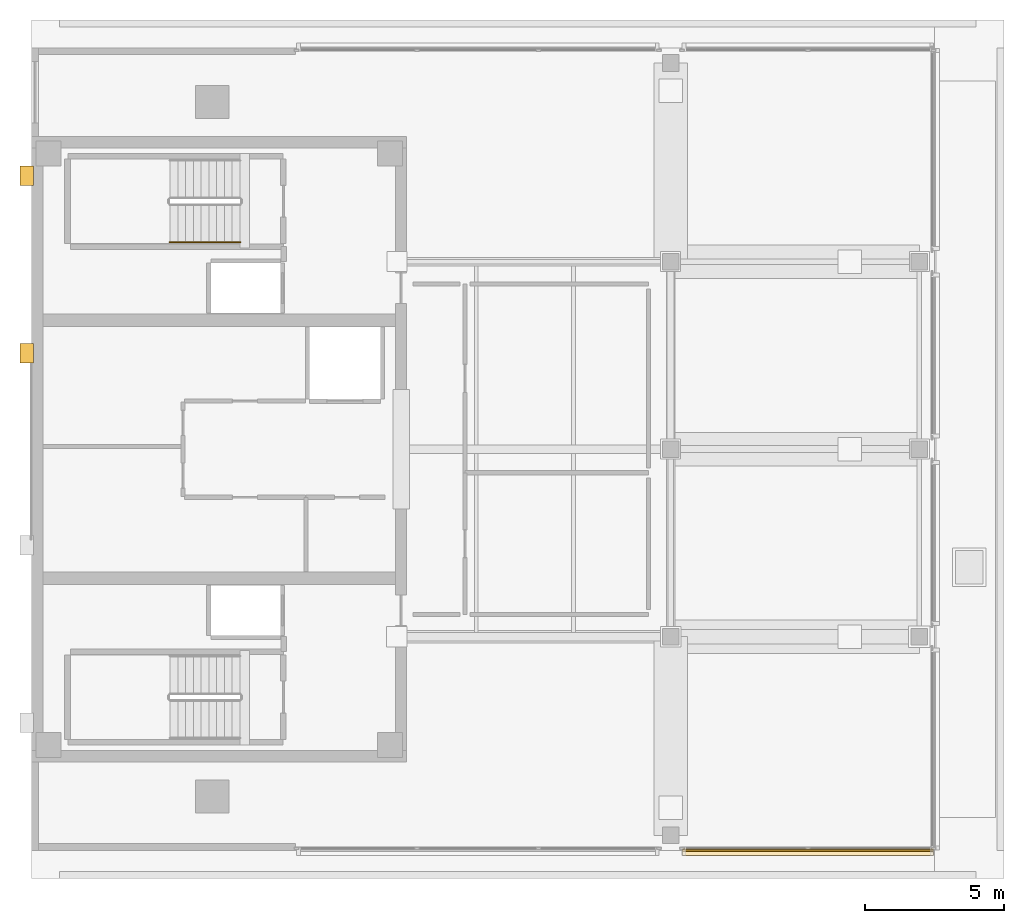
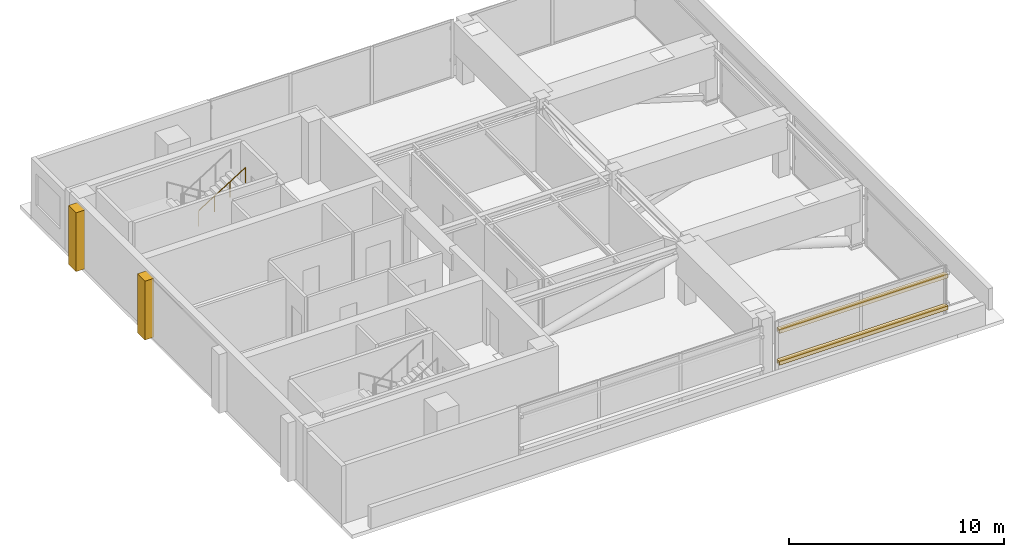
# One storey, part 8 of 10: 4 coverings, 2 shading devices, 1 railing.
"""IFC4 building model written with IfcOpenShell, lengths in metres."""

from ifc_helpers import new_model, si_unit, direction, frame, origin, origin_2d, place, context, subcontext, project, spatial, polyline, rectangle, circle, outline, extrude, material, layer, layer_set, material_profile, profile_set, type_object, element, save


model = new_model("IFC4")

# Units and contexts
model_context = context("Model", 3, precision=1e-05, world=origin(), true_north=direction((0.0, 1.0)))
body_context = subcontext(model_context, "Body", "Model", "MODEL_VIEW")
ifc_project = project(units=[si_unit("LENGTHUNIT", "METRE"), si_unit("AREAUNIT", "SQUARE_METRE"), si_unit("VOLUMEUNIT", "CUBIC_METRE"), si_unit("PLANEANGLEUNIT", "RADIAN"), si_unit("MASSUNIT", "GRAM", prefix="KILO")], contexts=[model_context])

# Site, building, storey
site_placement = place(None, origin())
site = spatial("IfcSite", under=ifc_project, at=site_placement, CompositionType="ELEMENT")
building_placement = place(site_placement, origin())
building = spatial("IfcBuilding", under=site, at=building_placement, Name="Kinhvarn Gate Tower", CompositionType="ELEMENT")
storey_placement = place(building_placement, frame((0.0, 0.0, 311.050048828125)))
storey = spatial("IfcBuildingStorey", under=building, at=storey_placement, Name="L82", CompositionType="ELEMENT", Elevation=311.050048828125)

# Coverings
ifc_material_1 = material(Name="Fired architectural terracotta", Category="masonry")
ifc_layer_1 = layer(ifc_material_1, 0.239990234375)
ifc_layer_set_1 = layer_set([ifc_layer_1], Name="Fired architectural terracotta")
covering_type_1 = type_object("IfcCoveringType", Name="COV-BAG-220", PredefinedType="CLADDING", material=ifc_layer_set_1)
for number, where, name in (
    (1, (0.0, 0.0, 0.93994140625), "Terracotta Horizontal Sunscreen Band TBG-220 (L82)"),
    (2, (0.0, 0.0, 2.739990234375), "Terracotta Horizontal Sunscreen Band TBG-220 (L82)"),
):
    element("IfcCovering", number, at=place(storey_placement, frame(where)), inside=storey, type_object=covering_type_1, Name=name, PredefinedType="CLADDING", context=body_context, shape_type="SweptSolid", body=[
        extrude(outline(polyline([(27.919921875, 10.8701171875), (36.9599609375, 10.8701171875), (36.9599609375, 10.6298828125), (27.919921875, 10.6298828125), (27.919921875, 10.8701171875)])), origin(), (0.0, 0.0, 1.0), 0.219970703125),
    ])
ifc_material_2 = material(Name="Precast white architectural concrete C40/50", Category="concrete")
ifc_layer_2 = layer(ifc_material_2, 0.47998046875)
ifc_layer_set_2 = layer_set([ifc_layer_2], Name="Precast white architectural concrete C40/50")
covering_type_2 = type_object("IfcCoveringType", Name="COV-RIB-450", PredefinedType="CLADDING", material=ifc_layer_set_2)
covering_1_placement = place(storey_placement, frame((0.0, 0.0, -0.02001953125)))
element("IfcCovering", 3, at=covering_1_placement, inside=storey, type_object=covering_type_2, Name="West Core Sculptural Concrete Relief Rib CRB-450 (L82)", PredefinedType="CLADDING", context=body_context, shape_type="SweptSolid", body=[
    extrude(outline(polyline([(4.080078125, 28.35009765625), (4.56005859375, 28.35009765625), (4.56005859375, 29.050048828125), (4.080078125, 29.050048828125), (4.080078125, 28.35009765625)])), origin(), (0.0, 0.0, 1.0), 3.340087890625),
])
covering_2_placement = place(storey_placement, frame((0.0, 0.0, -0.02001953125)))
element("IfcCovering", 4, at=covering_2_placement, inside=storey, type_object=covering_type_2, Name="West Core Sculptural Concrete Relief Rib CRB-450 (L82)", PredefinedType="CLADDING", context=body_context, shape_type="SweptSolid", body=[
    extrude(outline(polyline([(4.080078125, 34.75), (4.56005859375, 34.75), (4.56005859375, 35.449951171875), (4.080078125, 35.449951171875), (4.080078125, 34.75)])), origin(), (0.0, 0.0, 1.0), 3.340087890625),
])

# Railing
ifc_material_3 = material(Name="Steel S355", Category="steel")
railing_type = type_object("IfcRailingType", Name="RL-ST-HND", PredefinedType="HANDRAIL", material=ifc_material_3)
railing_placement = place(storey_placement, frame((9.47998046875, 32.699951171875, 1.925048828125)))
element("IfcRailing", 5, at=railing_placement, inside=storey, type_object=railing_type, Name="L82 ST2 stair handrail 2", PredefinedType="HANDRAIL", context=body_context, shape_type="SweptSolid", body=[
    extrude(circle(Radius=0.02392578125, at=origin_2d()), frame((0.0, 0.0, 0.8759765625), z_axis=(0.848007534815, 0.0, 0.529984170421), x_axis=(0.0, 1.0, 0.0)), (0.0, 0.0, 1.0), 2.9716796875),
    extrude(circle(Radius=0.02099609375, at=origin_2d()), origin(), (0.0, 0.0, 1.0), 0.851806640625),
    extrude(circle(Radius=0.02099609375, at=origin_2d()), frame((0.840087890625, 0.0, 0.52490234375)), (0.0, 0.0, 1.0), 0.851806640625),
    extrude(circle(Radius=0.02099609375, at=origin_2d()), frame((1.679931640625, 0.0, 1.050048828125)), (0.0, 0.0, 1.0), 0.851806640625),
    extrude(circle(Radius=0.02099609375, at=origin_2d()), frame((2.52001953125, 0.0, 1.574951171875)), (0.0, 0.0, 1.0), 0.851806640625),
])

# Shading devices
ifc_material_profile = material_profile(ifc_material_1, rectangle(XDim=0.050048828125, YDim=0.1201171875, at=origin_2d()), Name="TC 50x120")
ifc_profile_set = profile_set([ifc_material_profile], Name="Fired architectural terracotta")
shading_device_type = type_object("IfcShadingDeviceType", Name="SHD-BAG-140", PredefinedType="USERDEFINED", material=ifc_profile_set)
for number, where, z_axis, x_axis, name in (
    (6, (27.919921875, 10.800048828125, 1.050048828125), (1.0, 0.0, 0.0), (0.0, 1.0, 0.0), "Upper Tower Terracotta Baguette Screen Rod 50x120 mm (L82)"),
    (7, (27.919921875, 10.800048828125, 2.849853515625), (1.0, 0.0, 0.0), (0.0, 1.0, 0.0), "Upper Tower Terracotta Baguette Screen Rod 50x120 mm (L82)"),
):
    element("IfcShadingDevice", number, at=place(storey_placement, frame(where, z_axis=z_axis, x_axis=x_axis)), inside=storey, type_object=shading_device_type, Name=name, ObjectType="BAGUETTE", PredefinedType="USERDEFINED", context=body_context, shape_type="SweptSolid", body=[
        extrude(rectangle(XDim=0.050048828125, YDim=0.1201171875, at=origin_2d()), origin(), (0.0, 0.0, 1.0), 9.0400390625),
    ])

save(model, "model.ifc")
